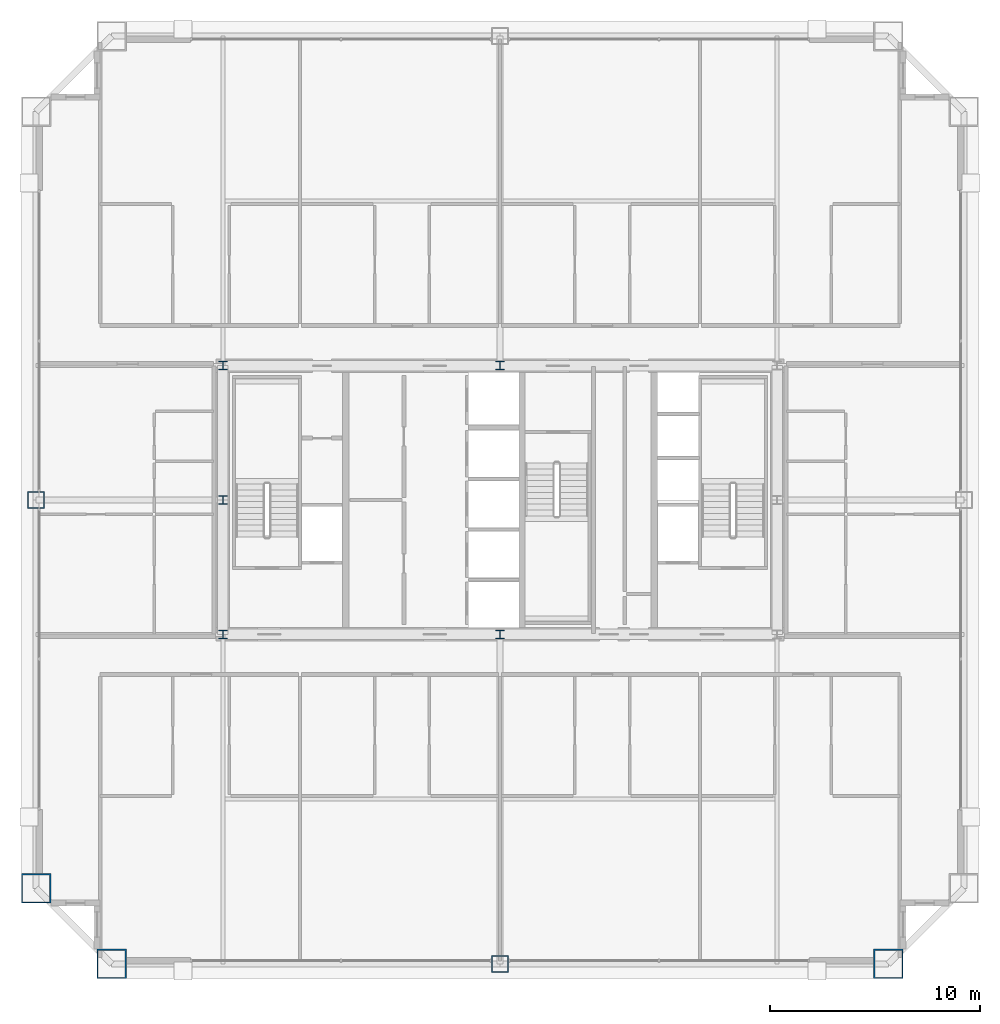
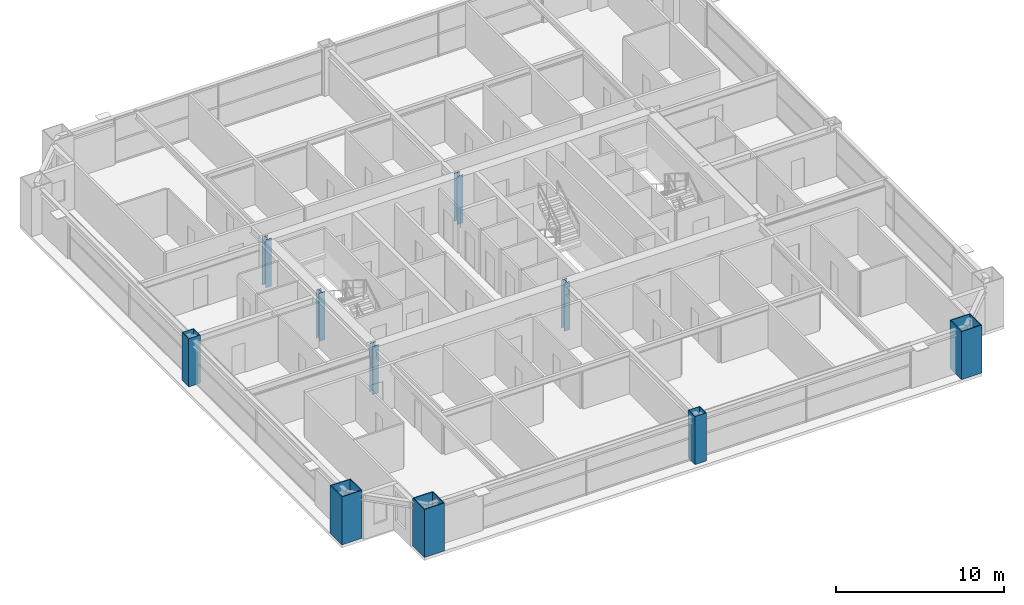
# One storey, part 1 of 38: 10 columns.
"""IFC4 building model written with IfcOpenShell, lengths in metres."""

from ifc_helpers import new_model, si_unit, direction, frame, origin, origin_2d, place, context, subcontext, project, spatial, hollow_rectangle, i_section, extrude, source, transform, mapped, material, material_profile, profile_set, type_object, element, save


model = new_model("IFC4")

# Units and contexts
model_context = context("Model", 3, precision=1e-05, world=origin(), true_north=direction((0.0, 1.0)))
body_context = subcontext(model_context, "Body", "Model", "MODEL_VIEW")
ifc_project = project(units=[si_unit("LENGTHUNIT", "METRE"), si_unit("AREAUNIT", "SQUARE_METRE"), si_unit("VOLUMEUNIT", "CUBIC_METRE"), si_unit("PLANEANGLEUNIT", "RADIAN"), si_unit("MASSUNIT", "GRAM", prefix="KILO"), si_unit("THERMODYNAMICTEMPERATUREUNIT", "KELVIN"), si_unit("POWERUNIT", "WATT")], contexts=[model_context])

# Site, building, storey
site_placement = place(None, origin())
site = spatial("IfcSite", under=ifc_project, at=site_placement, CompositionType="ELEMENT")
building_placement = place(site_placement, origin())
building = spatial("IfcBuilding", under=site, at=building_placement, Name="Yuzanri Waterfront Tower", CompositionType="ELEMENT")
storey_placement = place(building_placement, frame((0.0, 0.0, 188.0)))
storey = spatial("IfcBuildingStorey", under=building, at=storey_placement, Name="L49", CompositionType="ELEMENT", Elevation=188.0)

# Columns
ifc_material_1 = material(Name="Steel Q355B", Category="steel")
ifc_material_profile_1 = material_profile(ifc_material_1, i_section(OverallWidth=0.39990234375, OverallDepth=0.39990234375, WebThickness=0.012939453125, FlangeThickness=0.02099609375, at=origin_2d()), Name="HW 400x400x13x21")
ifc_profile_set_1 = profile_set([ifc_material_profile_1], Name="Steel Q355B")
column_type_1 = type_object("IfcColumnType", Name="Core Post Q355B HW 400x400x13x21", PredefinedType="COLUMN", material=ifc_profile_set_1)
shared_shape_1 = source(origin(), body_context, "Body", "SweptSolid", [
    extrude(i_section(OverallWidth=0.39990234375, OverallDepth=0.39990234375, WebThickness=0.012939453125, FlangeThickness=0.02099609375, at=origin_2d()), origin(), (0.0, 0.0, 1.0), 3.5),
])
for number, where, z_axis, x_axis, name in (
    (1, (23.800048828125, 19.39990234375, 0.0), (0.0, 0.0, 1.0), (1.0, 0.0, 0.0), "L49 Core Boundary Column CP1"),
    (2, (37.0, 19.39990234375, 0.0), (0.0, 0.0, 1.0), (1.0, 0.0, 0.0), "L49 Core Boundary Column CP2"),
    (3, (23.800048828125, 25.800048828125, 0.0), (0.0, 0.0, 1.0), (1.0, 0.0, 0.0), "L49 Core Boundary Column CP4"),
    (4, (23.800048828125, 32.199951171875, 0.0), (0.0, 0.0, 1.0), (1.0, 0.0, 0.0), "L49 Core Boundary Column CP6"),
    (5, (37.0, 32.199951171875, 0.0), (0.0, 0.0, 1.0), (1.0, 0.0, 0.0), "L49 Core Boundary Column CP7"),
):
    element("IfcColumn", number, at=place(storey_placement, frame(where, z_axis=z_axis, x_axis=x_axis)), inside=storey, type_object=column_type_1, Name=name, PredefinedType="COLUMN", context=body_context, shape_type="MappedRepresentation", body=[
        mapped(shared_shape_1, transform((0.0, 0.0, 0.0), scale=1.0)),
    ])
ifc_material_2 = material(Name="Steel Q420GJC", Category="steel")
ifc_material_profile_2 = material_profile(ifc_material_2, hollow_rectangle(XDim=1.39990234375, YDim=1.39990234375, WallThickness=0.06005859375, at=origin_2d()), Name="RHS 1400x1400x60")
ifc_profile_set_2 = profile_set([ifc_material_profile_2], Name="Steel Q420GJC")
column_type_2 = type_object("IfcColumnType", Name="Mega Column Q420GJC RHS 1400x1400x60", PredefinedType="COLUMN", material=ifc_profile_set_2)
shared_shape_2 = source(origin(), body_context, "Body", "SweptSolid", [
    extrude(hollow_rectangle(XDim=1.39990234375, YDim=1.39990234375, WallThickness=0.06005859375, at=origin_2d()), origin(), (0.0, 0.0, 1.0), 3.5),
])
for number, where, z_axis, x_axis, name in (
    (6, (18.5, 3.699951171875, 0.0), (0.0, 0.0, 1.0), (1.0, 0.0, 0.0), "L49 Perimeter Mega Column S1"),
    (7, (55.5, 3.699951171875, 0.0), (0.0, 0.0, 1.0), (1.0, 0.0, 0.0), "L49 Perimeter Mega Column S3"),
    (8, (14.89990234375, 7.300048828125, 0.0), (0.0, 0.0, 1.0), (1.0, 0.0, 0.0), "L49 Perimeter Mega Column W1"),
):
    element("IfcColumn", number, at=place(storey_placement, frame(where, z_axis=z_axis, x_axis=x_axis)), inside=storey, type_object=column_type_2, Name=name, PredefinedType="COLUMN", context=body_context, shape_type="MappedRepresentation", body=[
        mapped(shared_shape_2, transform((0.0, 0.0, 0.0), scale=1.0)),
    ])
ifc_material_3 = material(Name="Steel Q390GJC", Category="steel")
ifc_material_profile_3 = material_profile(ifc_material_3, hollow_rectangle(XDim=0.800048828125, YDim=0.800048828125, WallThickness=0.035888671875, at=origin_2d()), Name="RHS 800x800x36")
ifc_profile_set_3 = profile_set([ifc_material_profile_3], Name="Steel Q390GJC")
column_type_3 = type_object("IfcColumnType", Name="Frame Column Q390GJC RHS 800x800x36", PredefinedType="COLUMN", material=ifc_profile_set_3)
shared_shape_3 = source(origin(), body_context, "Body", "SweptSolid", [
    extrude(hollow_rectangle(XDim=0.800048828125, YDim=0.800048828125, WallThickness=0.035888671875, at=origin_2d()), origin(), (0.0, 0.0, 1.0), 3.5),
])
for number, where, z_axis, x_axis, name in (
    (9, (37.0, 3.699951171875, 0.0), (0.0, 0.0, 1.0), (1.0, 0.0, 0.0), "L49 Perimeter Frame Column S2"),
    (10, (14.89990234375, 25.800048828125, 0.0), (0.0, 0.0, 1.0), (1.0, 0.0, 0.0), "L49 Perimeter Frame Column W2"),
):
    element("IfcColumn", number, at=place(storey_placement, frame(where, z_axis=z_axis, x_axis=x_axis)), inside=storey, type_object=column_type_3, Name=name, PredefinedType="COLUMN", context=body_context, shape_type="MappedRepresentation", body=[
        mapped(shared_shape_3, transform((0.0, 0.0, 0.0), scale=1.0)),
    ])

save(model, "model.ifc")
